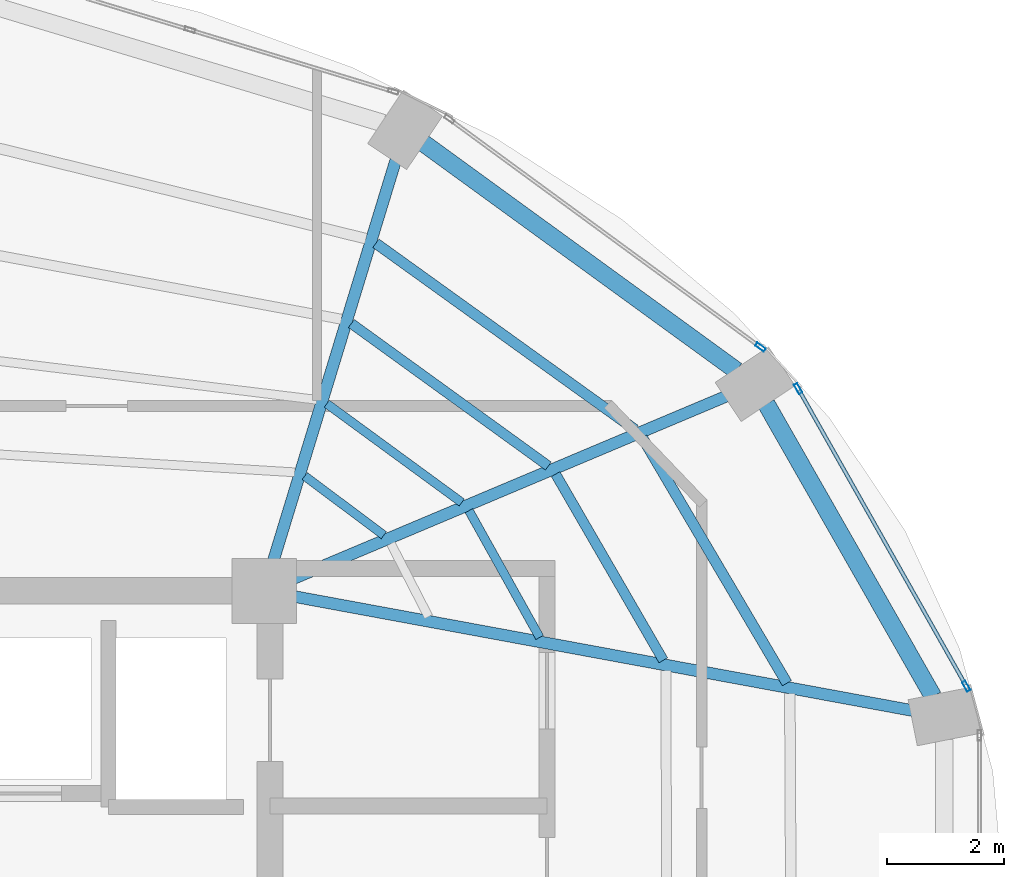
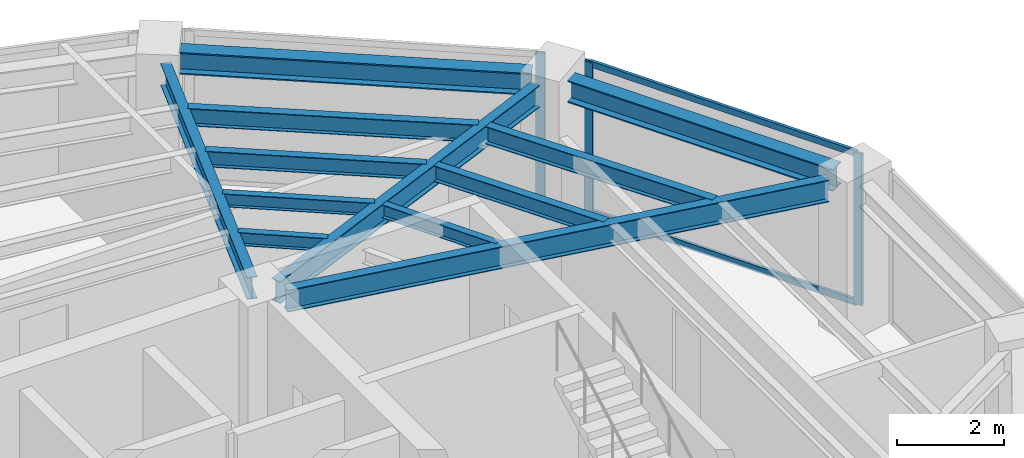
# One storey, part 15 of 22: 12 beams, 5 members, 2 elements without a shape of their own.
"""IFC4 building model written with IfcOpenShell, lengths in metres."""

from ifc_helpers import new_model, si_unit, direction, frame, origin, origin_2d, place, context, subcontext, project, spatial, hollow_rectangle, i_section, extrude, material, layer, layer_set, material_profile, profile_set, type_object, element, aggregate, save


model = new_model("IFC4")

# Units and contexts
model_context = context("Model", 3, precision=1e-05, world=origin(), true_north=direction((0.0, 1.0)))
body_context = subcontext(model_context, "Body", "Model", "MODEL_VIEW")
ifc_project = project(units=[si_unit("LENGTHUNIT", "METRE"), si_unit("AREAUNIT", "SQUARE_METRE"), si_unit("VOLUMEUNIT", "CUBIC_METRE"), si_unit("PLANEANGLEUNIT", "RADIAN"), si_unit("MASSUNIT", "GRAM", prefix="KILO")], contexts=[model_context])

# Site, building, storey
site_placement = place(None, origin())
site = spatial("IfcSite", under=ifc_project, at=site_placement, CompositionType="ELEMENT")
building_placement = place(site_placement, origin())
building = spatial("IfcBuilding", under=site, at=building_placement, Name="Lazwardi Medical Tower", CompositionType="ELEMENT")
storey_placement = place(building_placement, frame((0.0, 0.0, 238.60791015625)))
storey = spatial("IfcBuildingStorey", under=building, at=storey_placement, Name="L62", CompositionType="ELEMENT", Elevation=238.60791015625)

# Beams
ifc_material_1 = material(Name="Steel S355", Category="steel")
ifc_material_profile_1 = material_profile(ifc_material_1, i_section(OverallWidth=0.300048828125, OverallDepth=0.5, WebThickness=0.014404296875, FlangeThickness=0.028076171875, at=origin_2d()), Name="HEB 500")
ifc_profile_set_1 = profile_set([ifc_material_profile_1], Name="Steel S355")
beam_type_1 = type_object("IfcBeamType", Name="BM-RB-Z4", PredefinedType="BEAM", material=ifc_profile_set_1)
beam_1_placement = place(storey_placement, frame((56.991943359375, 33.8017578125, 3.197998046875), z_axis=(-0.495125273299, 0.868821594886, 0.0), x_axis=(-0.868821594886, -0.495125273299, 0.0)))
element("IfcBeam", 1, at=beam_1_placement, inside=storey, type_object=beam_type_1, Name="Ring beam RB-05 B05 L62", PredefinedType="BEAM", context=body_context, shape_type="SweptSolid", body=[
    extrude(i_section(OverallWidth=0.300048828125, OverallDepth=0.5, WebThickness=0.014404296875, FlangeThickness=0.028076171875, at=origin_2d()), origin(), (0.0, 0.0, 1.0), 5.734130859375),
])
beam_2_placement = place(storey_placement, frame((53.644287109375, 39.351806640625, 3.197998046875), z_axis=(-0.808889916254, 0.587960120571, 0.0), x_axis=(-0.587960120571, -0.808889916254, 0.0)))
element("IfcBeam", 2, at=beam_2_placement, inside=storey, type_object=beam_type_1, Name="Ring beam RB-05 B06 L62", PredefinedType="BEAM", context=body_context, shape_type="SweptSolid", body=[
    extrude(i_section(OverallWidth=0.300048828125, OverallDepth=0.5, WebThickness=0.014404296875, FlangeThickness=0.028076171875, at=origin_2d()), origin(), (0.0, 0.0, 1.0), 6.587158203125),
])
ifc_material_profile_2 = material_profile(ifc_material_1, i_section(OverallWidth=0.199951171875, OverallDepth=0.5, WebThickness=0.01025390625, FlangeThickness=0.01611328125, at=origin_2d()), Name="IPE 500")
ifc_profile_set_2 = profile_set([ifc_material_profile_2], Name="Steel S355")
beam_type_2 = type_object("IfcBeamType", Name="BM-RG-W3", PredefinedType="BEAM", material=ifc_profile_set_2)
beam_3_placement = place(storey_placement, frame((56.658935546875, 33.56005859375, 3.197998046875), z_axis=(-0.983409341459, 0.181400295288, 0.0), x_axis=(-0.181400295288, -0.983409341459, 0.0)))
element("IfcBeam", 3, at=beam_3_placement, inside=storey, type_object=beam_type_2, Name="Radial girder RG-04 R05 L62", PredefinedType="BEAM", context=body_context, shape_type="SweptSolid", body=[
    extrude(i_section(OverallWidth=0.199951171875, OverallDepth=0.5, WebThickness=0.01025390625, FlangeThickness=0.01611328125, at=origin_2d()), origin(), (0.0, 0.0, 1.0), 10.71044921875),
])
beam_4_placement = place(storey_placement, frame((53.466796875, 38.914794921875, 3.197998046875), z_axis=(-0.921526791352, -0.388314785735, 0.0), x_axis=(0.388314785735, -0.921526791352, 0.0)))
element("IfcBeam", 4, at=beam_4_placement, inside=storey, type_object=beam_type_2, Name="Radial girder RG-04 R06 L62", PredefinedType="BEAM", context=body_context, shape_type="SweptSolid", body=[
    extrude(i_section(OverallWidth=0.199951171875, OverallDepth=0.5, WebThickness=0.01025390625, FlangeThickness=0.01611328125, at=origin_2d()), origin(), (0.0, 0.0, 1.0), 8.001708984375),
])
beam_5_placement = place(storey_placement, frame((47.843994140625, 42.9423828125, 3.197998046875), z_axis=(-0.292276716539, -0.956333791607, 0.0), x_axis=(0.956333791607, -0.292276716539, 0.0)))
element("IfcBeam", 5, at=beam_5_placement, inside=storey, type_object=beam_type_2, Name="Radial girder RG-04 R07 L62", PredefinedType="BEAM", context=body_context, shape_type="SweptSolid", body=[
    extrude(i_section(OverallWidth=0.199951171875, OverallDepth=0.5, WebThickness=0.01025390625, FlangeThickness=0.01611328125, at=origin_2d()), origin(), (0.0, 0.0, 1.0), 7.142822265625),
])
ifc_material_profile_3 = material_profile(ifc_material_1, i_section(OverallWidth=0.179931640625, OverallDepth=0.39990234375, WebThickness=0.008544921875, FlangeThickness=0.013427734375, at=origin_2d()), Name="IPE 400")
ifc_profile_set_3 = profile_set([ifc_material_profile_3], Name="Steel S355")
beam_type_3 = type_object("IfcBeamType", Name="BM-SJ-01", PredefinedType="JOIST", material=ifc_profile_set_3)
beam_6_placement = place(storey_placement, frame((54.504150390625, 34.030517578125, 3.248046875), z_axis=(-0.507710311367, 0.861527851977, 0.0), x_axis=(-0.861527851977, -0.507710311367, 0.0)))
element("IfcBeam", 6, at=beam_6_placement, inside=storey, type_object=beam_type_3, Name="Secondary joist SJ-01 R1 B05 L62", PredefinedType="JOIST", context=body_context, shape_type="SweptSolid", body=[
    extrude(i_section(OverallWidth=0.179931640625, OverallDepth=0.39990234375, WebThickness=0.008544921875, FlangeThickness=0.013427734375, at=origin_2d()), origin(), (0.0, 0.0, 1.0), 4.852783203125),
])
beam_7_placement = place(storey_placement, frame((51.914794921875, 38.348876953125, 3.248046875), z_axis=(-0.811889581337, 0.58381102055, 0.0), x_axis=(-0.58381102055, -0.811889581337, 0.0)))
element("IfcBeam", 7, at=beam_7_placement, inside=storey, type_object=beam_type_3, Name="Secondary joist SJ-01 R1 B06 L62", PredefinedType="JOIST", context=body_context, shape_type="SweptSolid", body=[
    extrude(i_section(OverallWidth=0.179931640625, OverallDepth=0.39990234375, WebThickness=0.008544921875, FlangeThickness=0.013427734375, at=origin_2d()), origin(), (0.0, 0.0, 1.0), 5.433349609375),
])
ifc_material_profile_4 = material_profile(ifc_material_1, i_section(OverallWidth=0.169921875, OverallDepth=0.360107421875, WebThickness=0.008056640625, FlangeThickness=0.0126953125, at=origin_2d()), Name="IPE 360")
ifc_profile_set_4 = profile_set([ifc_material_profile_4], Name="Steel S355")
beam_type_4 = type_object("IfcBeamType", Name="BM-SJ-02", PredefinedType="JOIST", material=ifc_profile_set_4)
beam_8_placement = place(storey_placement, frame((52.398193359375, 34.41943359375, 3.26806640625), z_axis=(-0.500655179543, 0.865646805109, 0.0), x_axis=(-0.865646805109, -0.500655179543, 0.0)))
element("IfcBeam", 8, at=beam_8_placement, inside=storey, type_object=beam_type_4, Name="Secondary joist SJ-02 R2 B05 L62", PredefinedType="JOIST", context=body_context, shape_type="SweptSolid", body=[
    extrude(i_section(OverallWidth=0.169921875, OverallDepth=0.360107421875, WebThickness=0.008056640625, FlangeThickness=0.0126953125, at=origin_2d()), origin(), (0.0, 0.0, 1.0), 3.662109375),
])
beam_9_placement = place(storey_placement, frame((50.440185546875, 37.7275390625, 3.26806640625), z_axis=(-0.810164229155, 0.586202969796, 0.0), x_axis=(-0.586202969796, -0.810164229155, 0.0)))
element("IfcBeam", 9, at=beam_9_placement, inside=storey, type_object=beam_type_4, Name="Secondary joist SJ-02 R2 B06 L62", PredefinedType="JOIST", context=body_context, shape_type="SweptSolid", body=[
    extrude(i_section(OverallWidth=0.169921875, OverallDepth=0.360107421875, WebThickness=0.008056640625, FlangeThickness=0.0126953125, at=origin_2d()), origin(), (0.0, 0.0, 1.0), 4.14013671875),
])
ifc_material_profile_5 = material_profile(ifc_material_1, i_section(OverallWidth=0.14990234375, OverallDepth=0.300048828125, WebThickness=0.007080078125, FlangeThickness=0.0107421875, at=origin_2d()), Name="IPE 300")
ifc_profile_set_5 = profile_set([ifc_material_profile_5], Name="Steel S355")
beam_type_5 = type_object("IfcBeamType", Name="BM-SJ-03", PredefinedType="JOIST", material=ifc_profile_set_5)
beam_10_placement = place(storey_placement, frame((50.29296875, 34.80859375, 3.298095703125), z_axis=(-0.487092942089, 0.873350139272, 0.0), x_axis=(-0.873350139272, -0.487092942089, 0.0)))
element("IfcBeam", 10, at=beam_10_placement, inside=storey, type_object=beam_type_5, Name="Secondary joist SJ-03 R3 B05 L62", PredefinedType="JOIST", context=body_context, shape_type="SweptSolid", body=[
    extrude(i_section(OverallWidth=0.14990234375, OverallDepth=0.300048828125, WebThickness=0.007080078125, FlangeThickness=0.0107421875, at=origin_2d()), origin(), (0.0, 0.0, 1.0), 2.471923828125),
])
beam_11_placement = place(storey_placement, frame((48.9658203125, 37.106689453125, 3.298095703125), z_axis=(-0.80703431267, 0.59050454543, 0.0), x_axis=(-0.59050454543, -0.80703431267, 0.0)))
element("IfcBeam", 11, at=beam_11_placement, inside=storey, type_object=beam_type_5, Name="Secondary joist SJ-03 R3 B06 L62", PredefinedType="JOIST", context=body_context, shape_type="SweptSolid", body=[
    extrude(i_section(OverallWidth=0.14990234375, OverallDepth=0.300048828125, WebThickness=0.007080078125, FlangeThickness=0.0107421875, at=origin_2d()), origin(), (0.0, 0.0, 1.0), 2.846923828125),
])
beam_12_placement = place(storey_placement, frame((47.63916015625, 36.548095703125, 3.298095703125), z_axis=(-0.800365301971, 0.599512621553, 0.0), x_axis=(-0.599512621553, -0.800365301971, 0.0)))
element("IfcBeam", 12, at=beam_12_placement, inside=storey, type_object=beam_type_5, Name="Secondary joist SJ-03 R4 B06 L62", PredefinedType="JOIST", context=body_context, shape_type="SweptSolid", body=[
    extrude(i_section(OverallWidth=0.14990234375, OverallDepth=0.300048828125, WebThickness=0.007080078125, FlangeThickness=0.0107421875, at=origin_2d()), origin(), (0.0, 0.0, 1.0), 1.68359375),
])

# Curtain wall, members
ifc_material_2 = material(Name="Anodised bronze aluminium and solar control glazing", Category="aluminium")
ifc_layer = layer(ifc_material_2, 0.18994140625)
ifc_layer_set = layer_set([ifc_layer], Name="Anodised bronze aluminium and solar control glazing")
curtain_wall_type = type_object("IfcCurtainWallType", Name="CW-SYS-04", PredefinedType="NOTDEFINED", material=ifc_layer_set)
curtain_wall_1_placement = place(storey_placement, origin())
curtain_wall_1 = element("IfcCurtainWall", 13, at=curtain_wall_1_placement, inside=storey, type_object=curtain_wall_type, Name="L62 Unitised bronze curtain wall CW-04", PredefinedType="NOTDEFINED")
ifc_material_3 = material(Name="Anodised bronze aluminium", Category="aluminium")
ifc_material_profile_6 = material_profile(ifc_material_3, hollow_rectangle(XDim=0.06494140625, YDim=0.179931640625, WallThickness=0.00390625, at=origin_2d()), Name="ALU-MULLION 180x65x4")
ifc_profile_set_6 = profile_set([ifc_material_profile_6], Name="Anodised bronze aluminium")
member_type_1 = type_object("IfcMemberType", Name="CW-MUL-03", PredefinedType="MULLION", material=ifc_profile_set_6)
member_1_placement = place(storey_placement, frame((57.557373046875, 33.978271484375, 0.0), z_axis=(0.0, 0.0, 1.0), x_axis=(-0.870651436011, -0.491900474661, 0.0)))
member_1 = element("IfcMember", 14, at=member_1_placement, type_object=member_type_1, Name="CW-04 mullion 1", PredefinedType="MULLION", context=body_context, shape_type="SweptSolid", body=[
    extrude(hollow_rectangle(XDim=0.06494140625, YDim=0.179931640625, WallThickness=0.00390625, at=origin_2d()), origin(), (0.0, 0.0, 1.0), 3.447998046875),
])
member_2_placement = place(storey_placement, frame((54.6943359375, 39.04541015625, 0.0), z_axis=(0.0, 0.0, 1.0), x_axis=(-0.870651436011, -0.491900474661, 0.0)))
member_2 = element("IfcMember", 15, at=member_2_placement, type_object=member_type_1, Name="CW-04 mullion 2", PredefinedType="MULLION", context=body_context, shape_type="SweptSolid", body=[
    extrude(hollow_rectangle(XDim=0.06494140625, YDim=0.179931640625, WallThickness=0.00390625, at=origin_2d()), origin(), (0.0, 0.0, 1.0), 3.447998046875),
])

# Curtain wall, member
curtain_wall_2_placement = place(storey_placement, origin())
curtain_wall_2 = element("IfcCurtainWall", 16, at=curtain_wall_2_placement, inside=storey, type_object=curtain_wall_type, Name="L62 Unitised bronze curtain wall CW-04", PredefinedType="NOTDEFINED")
member_3_placement = place(storey_placement, frame((54.052001953125, 39.751708984375, 0.0), z_axis=(0.0, 0.0, 1.0), x_axis=(-0.591268230971, -0.806474971121, 0.0)))
member_3 = element("IfcMember", 17, at=member_3_placement, type_object=member_type_1, Name="CW-04 mullion 1", PredefinedType="MULLION", context=body_context, shape_type="SweptSolid", body=[
    extrude(hollow_rectangle(XDim=0.06494140625, YDim=0.179931640625, WallThickness=0.00390625, at=origin_2d()), origin(), (0.0, 0.0, 1.0), 3.447998046875),
])
aggregate(curtain_wall_2, [member_3])

# Member
ifc_material_profile_7 = material_profile(ifc_material_3, hollow_rectangle(XDim=0.06494140625, YDim=0.139892578125, WallThickness=0.00341796875, at=origin_2d()), Name="ALU-TRANSOM 140x65x3.5")
ifc_profile_set_7 = profile_set([ifc_material_profile_7], Name="Anodised bronze aluminium")
member_type_2 = type_object("IfcMemberType", Name="CW-TRN-03", PredefinedType="USERDEFINED", material=ifc_profile_set_7)
member_4_placement = place(storey_placement, frame((57.541259765625, 34.006591796875, 0.032470703125), z_axis=(-0.491897887635, 0.870652897623, 0.0), x_axis=(-0.870652897623, -0.491897887635, 0.0)))
member_4 = element("IfcMember", 18, at=member_4_placement, type_object=member_type_2, Name="CW-04 transom 1.1", ObjectType="TRANSOM", PredefinedType="USERDEFINED", context=body_context, shape_type="SweptSolid", body=[
    extrude(hollow_rectangle(XDim=0.06494140625, YDim=0.139892578125, WallThickness=0.00341796875, at=origin_2d()), origin(), (0.0, 0.0, 1.0), 5.7548828125),
])

member_5_placement = place(storey_placement, frame((57.541259765625, 34.006591796875, 3.41552734375), z_axis=(-0.491897887635, 0.870652897623, 0.0), x_axis=(-0.870652897623, -0.491897887635, 0.0)))
member_5 = element("IfcMember", 19, at=member_5_placement, type_object=member_type_2, Name="CW-04 transom 1.2", ObjectType="TRANSOM", PredefinedType="USERDEFINED", context=body_context, shape_type="SweptSolid", body=[
    extrude(hollow_rectangle(XDim=0.06494140625, YDim=0.139892578125, WallThickness=0.00341796875, at=origin_2d()), origin(), (0.0, 0.0, 1.0), 5.7548828125),
])

aggregate(curtain_wall_1, [member_1, member_2, member_4, member_5])

save(model, "model.ifc")
